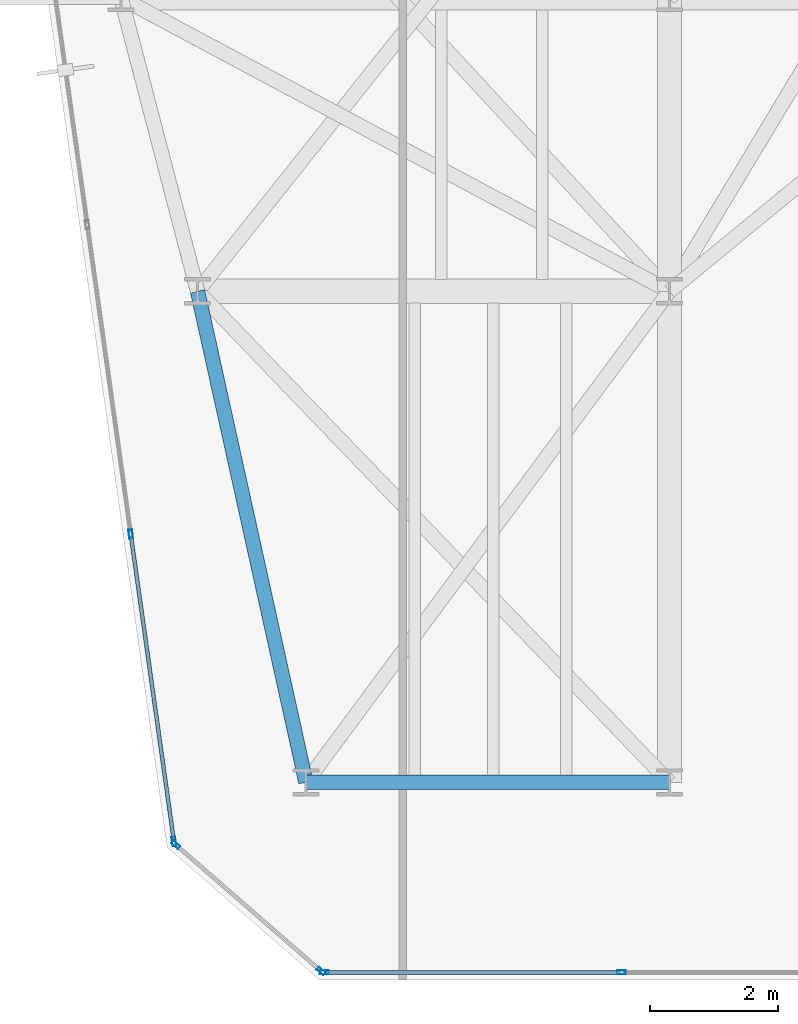
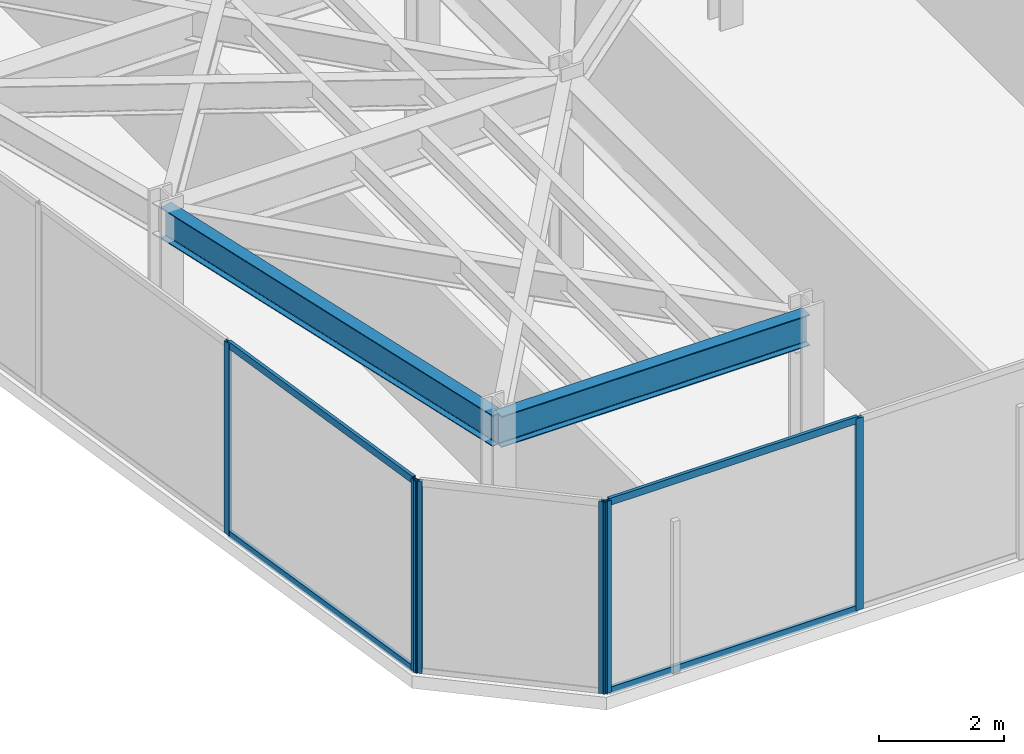
# One storey, part 2 of 27: 10 members, 2 beams, 3 elements without a shape of their own.
"""IFC4 building model written with IfcOpenShell, lengths in metres."""

from ifc_helpers import new_model, si_unit, direction, frame, origin, origin_2d, place, context, subcontext, project, spatial, hollow_rectangle, i_section, extrude, material, layer, layer_set, material_profile, profile_set, type_object, element, aggregate, save


model = new_model("IFC4")

# Units and contexts
model_context = context("Model", 3, precision=1e-05, world=origin(), true_north=direction((0.0, 1.0)))
body_context = subcontext(model_context, "Body", "Model", "MODEL_VIEW")
ifc_project = project(units=[si_unit("LENGTHUNIT", "METRE"), si_unit("AREAUNIT", "SQUARE_METRE"), si_unit("VOLUMEUNIT", "CUBIC_METRE"), si_unit("PLANEANGLEUNIT", "RADIAN"), si_unit("MASSUNIT", "GRAM", prefix="KILO")], contexts=[model_context])

# Site, building, storey
site_placement = place(None, origin())
site = spatial("IfcSite", under=ifc_project, at=site_placement, CompositionType="ELEMENT")
building_placement = place(site_placement, origin())
building = spatial("IfcBuilding", under=site, at=building_placement, Name="Kravanh Interchange Tower", CompositionType="ELEMENT")
storey_placement = place(building_placement, frame((0.0, 0.0, 164.5)))
storey = spatial("IfcBuildingStorey", under=building, at=storey_placement, Name="L39", CompositionType="ELEMENT", Elevation=164.5)

# Curtain wall, members
ifc_material_1 = material(Name="Anodised Bronze Aluminium", Category="aluminium")
ifc_layer = layer(ifc_material_1, 0.179931640625)
ifc_layer_set = layer_set([ifc_layer], Name="Unitised Curtain Wall System CW-Z3 Upper Office")
curtain_wall_type = type_object("IfcCurtainWallType", Name="Unitised Curtain Wall System CW-Z3 Upper Office", PredefinedType="NOTDEFINED", material=ifc_layer_set)
curtain_wall_1_placement = place(storey_placement, origin())
curtain_wall_1 = element("IfcCurtainWall", 1, at=curtain_wall_1_placement, inside=storey, type_object=curtain_wall_type, Name="L39 Unitised Curtain Wall CW-L39-01", PredefinedType="NOTDEFINED")
ifc_material_2 = material(Name="Anodised Bronze Aluminium", Category="aluminium")
ifc_material_profile_1 = material_profile(ifc_material_2, hollow_rectangle(XDim=0.06005859375, YDim=0.139892578125, WallThickness=0.00390625, at=origin_2d()), Name="ALU60X140X4")
ifc_profile_set_1 = profile_set([ifc_material_profile_1], Name="Anodised Bronze Aluminium")
member_type_1 = type_object("IfcMemberType", Name="Curtain Wall Mullion ALU60X140X4 Bronze", PredefinedType="MULLION", material=ifc_profile_set_1)
member_1_placement = place(storey_placement, frame((19.43017578125, 13.5703125, 0.0), z_axis=(0.0, 0.0, 1.0), x_axis=(-0.990268194035, -0.139172209446, 0.0)))
member_1 = element("IfcMember", 2, at=member_1_placement, type_object=member_type_1, Name="CW-Z3 mullion 1", PredefinedType="MULLION", context=body_context, shape_type="SweptSolid", body=[
    extrude(hollow_rectangle(XDim=0.06005859375, YDim=0.139892578125, WallThickness=0.00390625, at=origin_2d()), origin(), (0.0, 0.0, 1.0), 3.7548828125),
])
member_2_placement = place(storey_placement, frame((18.75244140625, 18.392578125, 0.0), z_axis=(0.0, 0.0, 1.0), x_axis=(-0.990268194035, -0.139172209446, 0.0)))
member_2 = element("IfcMember", 3, at=member_2_placement, type_object=member_type_1, Name="CW-Z3 mullion 2", PredefinedType="MULLION", context=body_context, shape_type="SweptSolid", body=[
    extrude(hollow_rectangle(XDim=0.06005859375, YDim=0.139892578125, WallThickness=0.00390625, at=origin_2d()), origin(), (0.0, 0.0, 1.0), 3.7548828125),
])

curtain_wall_2_placement = place(storey_placement, origin())
curtain_wall_2 = element("IfcCurtainWall", 4, at=curtain_wall_2_placement, inside=storey, type_object=curtain_wall_type, Name="L39 Unitised Curtain Wall CW-L39-06", PredefinedType="NOTDEFINED")
member_3_placement = place(storey_placement, frame((26.447998046875, 11.52001953125, 0.0), z_axis=(0.0, 0.0, 1.0), x_axis=(0.0, -1.0, 0.0)))
member_3 = element("IfcMember", 5, at=member_3_placement, type_object=member_type_1, Name="CW-Z3 mullion 2", PredefinedType="MULLION", context=body_context, shape_type="SweptSolid", body=[
    extrude(hollow_rectangle(XDim=0.06005859375, YDim=0.139892578125, WallThickness=0.00390625, at=origin_2d()), origin(), (0.0, 0.0, 1.0), 3.7548828125),
])
member_4_placement = place(storey_placement, frame((21.7890625, 11.52001953125, 0.0), z_axis=(0.0, 0.0, 1.0), x_axis=(0.0, -1.0, 0.0)))
member_4 = element("IfcMember", 6, at=member_4_placement, type_object=member_type_1, Name="CW-Z3 mullion 3", PredefinedType="MULLION", context=body_context, shape_type="SweptSolid", body=[
    extrude(hollow_rectangle(XDim=0.06005859375, YDim=0.139892578125, WallThickness=0.00390625, at=origin_2d()), origin(), (0.0, 0.0, 1.0), 3.7548828125),
])

curtain_wall_3_placement = place(storey_placement, origin())
curtain_wall_3 = element("IfcCurtainWall", 7, at=curtain_wall_3_placement, inside=storey, type_object=curtain_wall_type, Name="L39 Unitised Curtain Wall CW-L39-07", PredefinedType="NOTDEFINED")
member_5_placement = place(storey_placement, frame((21.736328125, 11.539794921875, 0.0), z_axis=(0.0, 0.0, 1.0), x_axis=(-0.65605090137, -0.754716645379, 0.0)))
member_5 = element("IfcMember", 8, at=member_5_placement, type_object=member_type_1, Name="CW-Z3 mullion 1", PredefinedType="MULLION", context=body_context, shape_type="SweptSolid", body=[
    extrude(hollow_rectangle(XDim=0.06005859375, YDim=0.139892578125, WallThickness=0.00390625, at=origin_2d()), origin(), (0.0, 0.0, 1.0), 3.7548828125),
])
member_6_placement = place(storey_placement, frame((19.45703125, 13.52099609375, 0.0), z_axis=(0.0, 0.0, 1.0), x_axis=(-0.65605090137, -0.754716645379, 0.0)))
member_6 = element("IfcMember", 9, at=member_6_placement, type_object=member_type_1, Name="CW-Z3 mullion 2", PredefinedType="MULLION", context=body_context, shape_type="SweptSolid", body=[
    extrude(hollow_rectangle(XDim=0.06005859375, YDim=0.139892578125, WallThickness=0.00390625, at=origin_2d()), origin(), (0.0, 0.0, 1.0), 3.7548828125),
])
aggregate(curtain_wall_3, [member_5, member_6])

# Member
ifc_material_3 = material(Name="Anodised Bronze Aluminium", Category="aluminium")
ifc_material_profile_2 = material_profile(ifc_material_3, hollow_rectangle(XDim=0.06005859375, YDim=0.139892578125, WallThickness=0.00390625, at=origin_2d()), Name="ALU60X140X4")
ifc_profile_set_2 = profile_set([ifc_material_profile_2], Name="Anodised Bronze Aluminium")
member_type_2 = type_object("IfcMemberType", Name="Curtain Wall Transom ALU60X140X4 Bronze", PredefinedType="USERDEFINED", material=ifc_profile_set_2)
member_7_placement = place(storey_placement, frame((19.426025390625, 13.60009765625, 0.030029296875), z_axis=(-0.139189497915, 0.990265764161, 0.0), x_axis=(-0.990265764161, -0.139189497915, 0.0)))
member_7 = element("IfcMember", 10, at=member_7_placement, type_object=member_type_2, Name="CW-Z3 transom 1.1", ObjectType="TRANSOM", PredefinedType="USERDEFINED", context=body_context, shape_type="SweptSolid", body=[
    extrude(hollow_rectangle(XDim=0.06005859375, YDim=0.139892578125, WallThickness=0.00390625, at=origin_2d()), origin(), (0.0, 0.0, 1.0), 4.8095703125),
])

member_8_placement = place(storey_placement, frame((19.426025390625, 13.60009765625, 3.72509765625), z_axis=(-0.139189497915, 0.990265764161, 0.0), x_axis=(-0.990265764161, -0.139189497915, 0.0)))
member_8 = element("IfcMember", 11, at=member_8_placement, type_object=member_type_2, Name="CW-Z3 transom 1.2", ObjectType="TRANSOM", PredefinedType="USERDEFINED", context=body_context, shape_type="SweptSolid", body=[
    extrude(hollow_rectangle(XDim=0.06005859375, YDim=0.139892578125, WallThickness=0.00390625, at=origin_2d()), origin(), (0.0, 0.0, 1.0), 4.8095703125),
])

aggregate(curtain_wall_1, [member_1, member_2, member_7, member_8])

member_9_placement = place(storey_placement, frame((26.41796875, 11.52001953125, 0.030029296875), z_axis=(-1.0, 0.0, 0.0), x_axis=(0.0, -1.0, 0.0)))
member_9 = element("IfcMember", 12, at=member_9_placement, type_object=member_type_2, Name="CW-Z3 transom 2.1", ObjectType="TRANSOM", PredefinedType="USERDEFINED", context=body_context, shape_type="SweptSolid", body=[
    extrude(hollow_rectangle(XDim=0.06005859375, YDim=0.139892578125, WallThickness=0.00390625, at=origin_2d()), origin(), (0.0, 0.0, 1.0), 4.598876953125),
])

member_10_placement = place(storey_placement, frame((26.41796875, 11.52001953125, 3.72509765625), z_axis=(-1.0, 0.0, 0.0), x_axis=(0.0, -1.0, 0.0)))
member_10 = element("IfcMember", 13, at=member_10_placement, type_object=member_type_2, Name="CW-Z3 transom 2.2", ObjectType="TRANSOM", PredefinedType="USERDEFINED", context=body_context, shape_type="SweptSolid", body=[
    extrude(hollow_rectangle(XDim=0.06005859375, YDim=0.139892578125, WallThickness=0.00390625, at=origin_2d()), origin(), (0.0, 0.0, 1.0), 4.598876953125),
])

aggregate(curtain_wall_2, [member_3, member_4, member_9, member_10])

# Beams
ifc_material_4 = material(Name="Structural Steel S355", Category="steel")
ifc_material_profile_3 = material_profile(ifc_material_4, i_section(OverallWidth=0.22802734375, OverallDepth=0.60791015625, WebThickness=0.01123046875, FlangeThickness=0.017333984375, FilletRadius=0.02197265625, at=origin_2d()), Name="W24X76")
ifc_profile_set_3 = profile_set([ifc_material_profile_3], Name="Structural Steel S355")
beam_type = type_object("IfcBeamType", Name="Floor Spandrel W24X76 Structural Steel S355", PredefinedType="SPANDREL", material=ifc_profile_set_3)
beam_1_placement = place(storey_placement, frame((21.5, 14.5, 3.450927734375), z_axis=(1.0, 0.0, 0.0), x_axis=(0.0, 1.0, 0.0)))
element("IfcBeam", 14, at=beam_1_placement, inside=storey, type_object=beam_type, Name="L39 Perimeter Spandrel 30", PredefinedType="SPANDREL", context=body_context, shape_type="SweptSolid", body=[
    extrude(i_section(OverallWidth=0.22802734375, OverallDepth=0.60791015625, WebThickness=0.01123046875, FlangeThickness=0.017333984375, FilletRadius=0.02197265625, at=origin_2d()), origin(), (0.0, 0.0, 1.0), 5.699951171875),
])
beam_2_placement = place(storey_placement, frame((21.5, 14.5, 3.450927734375), z_axis=(-0.215582892261, 0.976485543449, 0.0), x_axis=(-0.976485543449, -0.215582892261, 0.0)))
element("IfcBeam", 15, at=beam_2_placement, inside=storey, type_object=beam_type, Name="L39 Perimeter Spandrel 31", PredefinedType="SPANDREL", context=body_context, shape_type="SweptSolid", body=[
    extrude(i_section(OverallWidth=0.22802734375, OverallDepth=0.60791015625, WebThickness=0.01123046875, FlangeThickness=0.017333984375, FilletRadius=0.02197265625, at=origin_2d()), origin(), (0.0, 0.0, 1.0), 7.88525390625),
])

save(model, "model.ifc")
